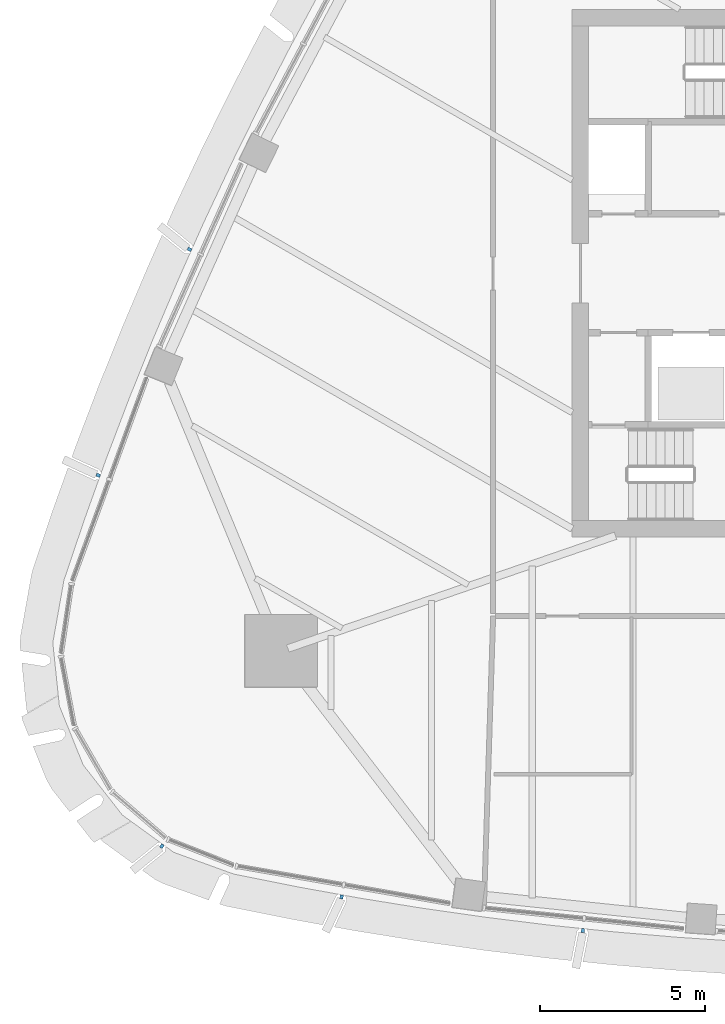
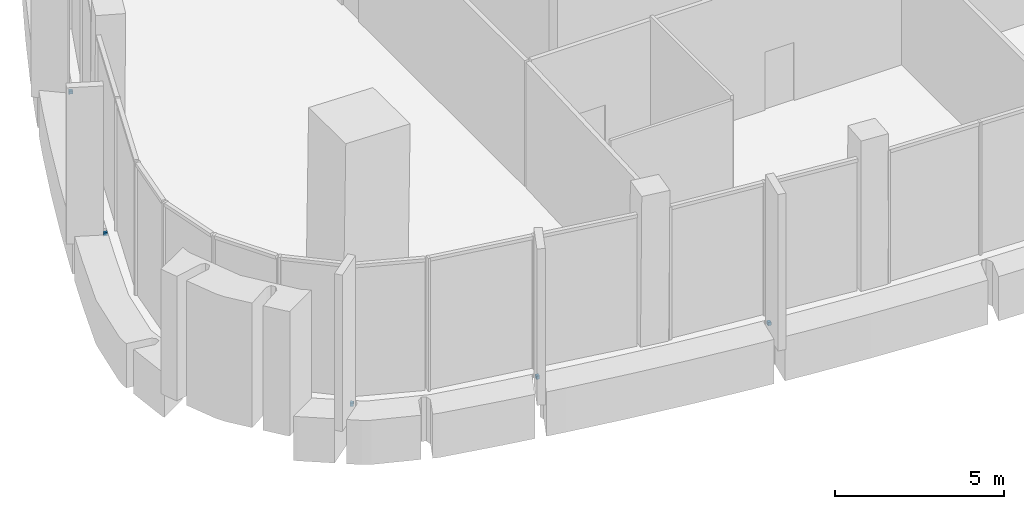
# One storey, part 12 of 19: 5 discrete accessories.
"""IFC4 building model written with IfcOpenShell, lengths in metres."""

from ifc_helpers import new_model, si_unit, direction, frame, origin, origin_2d, place, context, subcontext, project, spatial, rectangle, extrude, material, type_object, element, save


model = new_model("IFC4")

# Units and contexts
model_context = context("Model", 3, precision=1e-05, world=origin(), true_north=direction((0.0, 1.0)))
body_context = subcontext(model_context, "Body", "Model", "MODEL_VIEW")
ifc_project = project(units=[si_unit("LENGTHUNIT", "METRE"), si_unit("AREAUNIT", "SQUARE_METRE"), si_unit("VOLUMEUNIT", "CUBIC_METRE"), si_unit("PLANEANGLEUNIT", "RADIAN"), si_unit("MASSUNIT", "GRAM", prefix="KILO")], contexts=[model_context])

# Site, building, storey
site_placement = place(None, origin())
site = spatial("IfcSite", under=ifc_project, at=site_placement, CompositionType="ELEMENT")
building_placement = place(site_placement, origin())
building = spatial("IfcBuilding", under=site, at=building_placement, Name="Sierra Prisma Convention Tower", CompositionType="ELEMENT")
storey_placement = place(building_placement, frame((0.0, 0.0, 319.0)))
storey = spatial("IfcBuildingStorey", under=building, at=storey_placement, Name="L73", CompositionType="ELEMENT", Elevation=319.0)

# Discrete accessories
ifc_material = material(Name="Stainless steel 316", Category="steel")
discrete_accessory_type = type_object("IfcDiscreteAccessoryType", Name="Fin bracket", PredefinedType="BRACKET", material=ifc_material)
for number, where, z_axis, x_axis, name in (
    (1, (-17.996826171875, -18.914794921875, -0.135009765625), (0.0, 0.0, 1.0), (-0.178115486771, -0.984009590081, 0.0), "Fin bracket L73.2 base"),
    (2, (-10.676025390625, -19.939697265625, -0.135009765625), (0.0, 0.0, 1.0), (-0.10348706024, -0.994630800027, 0.0), "Fin bracket L73.5 base"),
    (3, (-22.6064453125, 0.72412109375, -0.135009765625), (0.0, 0.0, 1.0), (-0.91311907033, 0.407692976883, 0.0), "Fin bracket L73.58 base"),
    (4, (-25.379150390625, -6.12841796875, -0.135009765625), (0.0, 0.0, 1.0), (-0.941235045964, 0.337752258689, 0.0), "Fin bracket L73.61 base"),
    (5, (-23.447021484375, -17.3779296875, -0.135009765625), (0.0, 0.0, 1.0), (-0.586937823145, -0.80963201009, 0.0), "Fin bracket L73.66 base"),
):
    element("IfcDiscreteAccessory", number, at=place(storey_placement, frame(where, z_axis=z_axis, x_axis=x_axis)), inside=storey, type_object=discrete_accessory_type, Name=name, PredefinedType="BRACKET", context=body_context, shape_type="SweptSolid", body=[
        extrude(rectangle(XDim=0.1201171875, YDim=0.10009765625, at=origin_2d()), origin(), (0.0, 0.0, 1.0), 0.1201171875),
    ])

save(model, "model.ifc")
